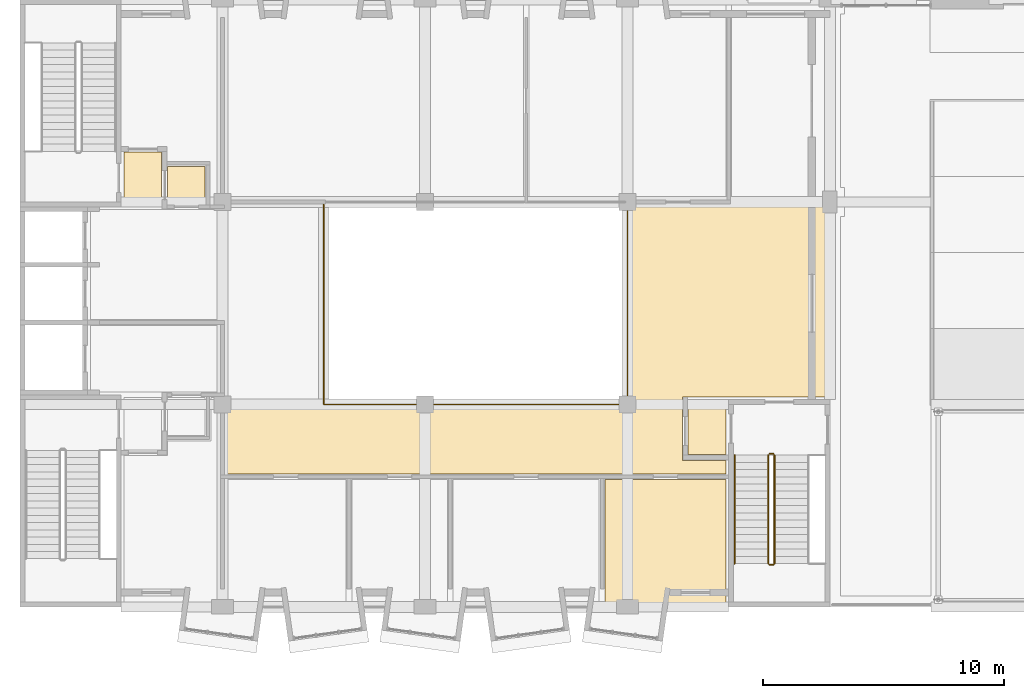
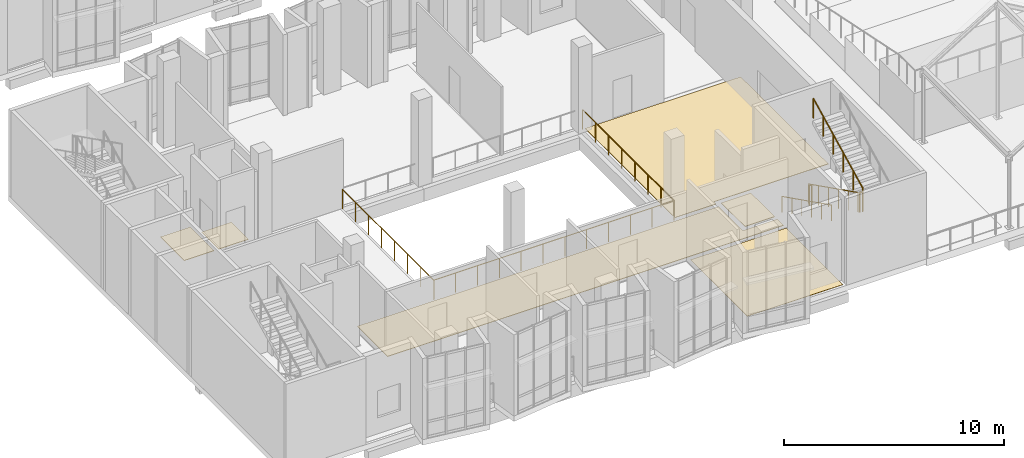
# One storey, part 59 of 67: 6 coverings, 6 railings.
"""IFC4 building model written with IfcOpenShell, lengths in metres."""

import ifcopenshell
import ifcopenshell.guid

model = None  # the IFC model being written
_history = None  # IfcOwnerHistory: only IFC2X3 demands one
_inside = {}  # id of a spatial element -> (the spatial element, [elements in it])
_under = {}  # id of a project, library or spatial element -> (it, [spatial elements below it])
_declared = {}  # id of a project -> (the project, [libraries it declares])
_typed = {}  # id of a type object -> (the type object, [elements of that type])
_made_of = {}  # id of a material, layer set ... -> (it, [elements and type objects made of it])


def new_model(schema):
    """Start an empty IFC model of exactly this schema.

    Asked for "IFC4X3", IfcOpenShell would pick the latest addendum, in which some entities
    have other attributes; the version numbers below select the first issue.
    IFC2X3 requires an IfcOwnerHistory on every rooted entity: one is made here for all.
    """
    global model, _history
    if schema == "IFC4X3":
        model = ifcopenshell.file(schema_version=(4, 3, 0, 0))
    else:
        model = ifcopenshell.file(schema=schema)
    _inside.clear()
    _under.clear()
    _declared.clear()
    _typed.clear()
    _made_of.clear()
    _history = None
    if model.schema == "IFC2X3":
        org = make("IfcOrganization", Name="unknown")
        user = make(
            "IfcPersonAndOrganization",
            ThePerson=make("IfcPerson", FamilyName="unknown"),
            TheOrganization=org,
        )
        app = make(
            "IfcApplication",
            ApplicationDeveloper=org,
            Version="unknown",
            ApplicationFullName="unknown",
            ApplicationIdentifier="unknown",
        )
        _history = make(
            "IfcOwnerHistory",
            OwningUser=user,
            OwningApplication=app,
            ChangeAction="ADDED",
            CreationDate=0,
        )
    return model


def make(cls, **values):
    """One entity of the class cls with the attributes given. An attribute that is None is left unset."""
    return model.create_entity(
        cls, **{name: value for name, value in values.items() if value is not None}
    )


def rooted(cls, **values):
    """An entity with a GlobalId (a new one), such as an element, a storey or a relation."""
    return make(cls, GlobalId=ifcopenshell.guid.new(), OwnerHistory=_history, **values)


def si_unit(unit_type, name, prefix=None):
    """IfcSIUnit, for example si_unit("LENGTHUNIT", "METRE", prefix="MILLI")."""
    return make("IfcSIUnit", UnitType=unit_type, Prefix=prefix, Name=name)


def assignment(units):
    """IfcUnitAssignment: the units of a project."""
    return None if units is None else make("IfcUnitAssignment", Units=units)


def point(xyz):
    """IfcCartesianPoint."""
    return None if xyz is None else make("IfcCartesianPoint", Coordinates=xyz)


def direction(xyz):
    """IfcDirection."""
    return None if xyz is None else make("IfcDirection", DirectionRatios=xyz)


def frame(location, z_axis=None, x_axis=None):
    """IfcAxis2Placement3D, a coordinate frame: its origin and axes. An axis left out is left unset."""
    return make(
        "IfcAxis2Placement3D",
        Location=point(location),
        Axis=direction(z_axis),
        RefDirection=direction(x_axis),
    )


def frame_2d(location, x_axis=None):
    """IfcAxis2Placement2D, a coordinate frame in the plane: its origin and x axis."""
    return make(
        "IfcAxis2Placement2D", Location=point(location), RefDirection=direction(x_axis)
    )


def origin():
    """The frame at (0, 0, 0) with its axes left unset."""
    return frame((0.0, 0.0, 0.0))


def origin_2d():
    """The frame at (0, 0) in the plane with its x axis left unset."""
    return frame_2d((0.0, 0.0))


def place(relative_to, where):
    """IfcLocalPlacement: puts the frame where relative to a parent placement (None: the world)."""
    return make(
        "IfcLocalPlacement", PlacementRelTo=relative_to, RelativePlacement=where
    )


def context(
    kind, dimensions, precision=None, world=None, true_north=None, identifier=None
):
    """IfcGeometricRepresentationContext, for example the 3D "Model" context."""
    return make(
        "IfcGeometricRepresentationContext",
        ContextIdentifier=identifier,
        ContextType=kind,
        CoordinateSpaceDimension=dimensions,
        Precision=precision,
        WorldCoordinateSystem=world,
        TrueNorth=true_north,
    )


def subcontext(parent, identifier, kind, view, scale=None):
    """IfcGeometricRepresentationSubContext, for example "Body" below "Model"."""
    return make(
        "IfcGeometricRepresentationSubContext",
        ContextIdentifier=identifier,
        ContextType=kind,
        ParentContext=parent,
        TargetScale=scale,
        TargetView=view,
    )


def project(units=None, contexts=None):
    """IfcProject with its units and contexts."""
    return rooted(
        "IfcProject",
        Name="project",
        RepresentationContexts=contexts,
        UnitsInContext=assignment(units),
    )


def spatial(cls, under=None, at=None, **own):
    """A site, building, storey or space (cls), placed at a placement, below another one or the project."""
    s = rooted(cls, ObjectPlacement=at, **own)
    if under is not None:
        _under.setdefault(under.id(), (under, []))[1].append(s)
    return s


def polyline(points):
    """IfcPolyline through the points."""
    return make("IfcPolyline", Points=[point(p) for p in points])


def profile(cls, at=None, kind="AREA", **sizes):
    """A parametric profile (cls). Its sizes go by their IFC names, for example OverallWidth=200.0."""
    return make(cls, ProfileType=kind, Position=at, **sizes)


def circle(**sizes):
    """IfcCircleProfileDef."""
    return profile("IfcCircleProfileDef", **sizes)


def outline(outer, holes=None, kind="AREA"):
    """IfcArbitraryClosedProfileDef: a profile drawn as a closed curve; with holes, ...WithVoids."""
    if holes is None:
        return make("IfcArbitraryClosedProfileDef", ProfileType=kind, OuterCurve=outer)
    return make(
        "IfcArbitraryProfileDefWithVoids",
        ProfileType=kind,
        OuterCurve=outer,
        InnerCurves=holes,
    )


def extrude(swept, where, along, depth):
    """IfcExtrudedAreaSolid: the profile swept, set in the frame where, extruded along a direction by depth."""
    return make(
        "IfcExtrudedAreaSolid",
        SweptArea=swept,
        Position=where,
        ExtrudedDirection=direction(along),
        Depth=depth,
    )


def shape(context_of_items, identifier, shape_type, items):
    """IfcShapeRepresentation: the items that make up one representation, for example the "Body"."""
    return make(
        "IfcShapeRepresentation",
        ContextOfItems=context_of_items,
        RepresentationIdentifier=identifier,
        RepresentationType=shape_type,
        Items=items,
    )


def material(Name=None, Category=None):
    """IfcMaterial."""
    return make("IfcMaterial", Name=Name, Category=Category)


def layer(
    of_material, thickness, ventilated=None, Name=None, Category=None, Priority=None
):
    """IfcMaterialLayer: one layer of a wall or slab, of a material (None: an air gap)."""
    return make(
        "IfcMaterialLayer",
        Material=of_material,
        LayerThickness=thickness,
        IsVentilated=ventilated,
        Name=Name,
        Category=Category,
        Priority=Priority,
    )


def layer_set(layers, Name=None):
    """IfcMaterialLayerSet."""
    return make("IfcMaterialLayerSet", MaterialLayers=layers, LayerSetName=Name)


def made_of(thing, what):
    """Note that an element or type object is made of a material, layer set ...; save() writes the relation."""
    if what is not None:
        _made_of.setdefault(what.id(), (what, []))[1].append(thing)
    return thing


def type_object(cls, material=None, **own):
    """A type object (cls), such as IfcWallType, which elements share."""
    return made_of(rooted(cls, **own), material)


def element(
    cls,
    number,
    at=None,
    inside=None,
    cuts=None,
    type_object=None,
    material=None,
    context=None,
    identifier="Body",
    shape_type=None,
    held_by="IfcProductDefinitionShape",
    body=None,
    shapes=None,
    **own,
):
    """One element of the class cls, such as IfcWall. Its Tag is "e" and its number.

    at: its placement. inside: the storey or other place that contains it. cuts: it is an
    opening in that element (IfcRelVoidsElement). A single representation is given by context,
    identifier, shape_type and body (its items); several are given by shapes. held_by: the class
    of the entity that holds the representations. save() writes the other relations.
    """
    e = rooted(cls, Tag="e%d" % number, ObjectPlacement=at, **own)
    if body is not None:
        shapes = [shape(context, identifier, shape_type, body)]
    if shapes is not None:
        e.Representation = make(held_by, Representations=shapes)
    if inside is not None:
        _inside.setdefault(inside.id(), (inside, []))[1].append(e)
    if cuts is not None:
        rooted(
            "IfcRelVoidsElement", RelatingBuildingElement=cuts, RelatedOpeningElement=e
        )
    if type_object is not None:
        _typed.setdefault(type_object.id(), (type_object, []))[1].append(e)
    return made_of(e, material)


def aggregate(whole, parts):
    """IfcRelAggregates: a whole, such as a stair, and the parts it consists of."""
    return rooted("IfcRelAggregates", RelatingObject=whole, RelatedObjects=parts)


def save(model, path):
    """Write the relations noted so far, then the file.

    IfcRelAggregates (storeys below a building ...), IfcRelContainedInSpatialStructure (elements
    in a storey), IfcRelDefinesByType, IfcRelAssociatesMaterial and IfcRelDeclares: one each for
    every whole, place, type object, material and project.
    """
    for whole, parts in _under.values():
        aggregate(whole, parts)
    for where, things in _inside.values():
        rooted(
            "IfcRelContainedInSpatialStructure",
            RelatedElements=things,
            RelatingStructure=where,
        )
    for kind, things in _typed.values():
        rooted("IfcRelDefinesByType", RelatedObjects=things, RelatingType=kind)
    for what, things in _made_of.values():
        rooted("IfcRelAssociatesMaterial", RelatedObjects=things, RelatingMaterial=what)
    for by, libraries in _declared.values():
        rooted("IfcRelDeclares", RelatingContext=by, RelatedDefinitions=libraries)
    model.write(path)


model = new_model("IFC4")

# Units and contexts
model_context = context("Model", 3, precision=1e-05, world=origin(), true_north=direction((0.0, 1.0)))
body_context = subcontext(model_context, "Body", "Model", "MODEL_VIEW")
ifc_project = project(units=[si_unit("LENGTHUNIT", "METRE"), si_unit("AREAUNIT", "SQUARE_METRE"), si_unit("VOLUMEUNIT", "CUBIC_METRE"), si_unit("PLANEANGLEUNIT", "RADIAN"), si_unit("MASSUNIT", "GRAM", prefix="KILO")], contexts=[model_context])

# Site, building, storey
site_placement = place(None, origin())
site = spatial("IfcSite", under=ifc_project, at=site_placement, CompositionType="ELEMENT")
building_placement = place(site_placement, origin())
building = spatial("IfcBuilding", under=site, at=building_placement, Name="Kiln Court Media Centre", CompositionType="ELEMENT")
storey_placement = place(building_placement, frame((0.0, 0.0, 19.800048828125)))
storey = spatial("IfcBuildingStorey", under=building, at=storey_placement, Name="L04", CompositionType="ELEMENT", Elevation=19.800048828125)

# Coverings
ifc_material_1 = material(Name="Carpet tile")
ifc_layer_1 = layer(ifc_material_1, 0.014892578125)
ifc_layer_set_1 = layer_set([ifc_layer_1], Name="Carpet tile floor finish 15")
covering_type_1 = type_object("IfcCoveringType", Name="Carpet tile floor finish 15", PredefinedType="FLOORING", material=ifc_layer_set_1)
covering_1_placement = place(storey_placement, origin())
element("IfcCovering", 1, at=covering_1_placement, inside=storey, type_object=covering_type_1, Name="Editing Suite 4 floor finish", PredefinedType="FLOORING", context=body_context, shape_type="SweptSolid", body=[
    extrude(outline(polyline([(24.27001953125, 0.1201171875), (29.280029296875, 0.1201171875), (29.280029296875, 5.280029296875), (24.27001953125, 5.280029296875), (24.27001953125, 0.1201171875)])), origin(), (0.0, 0.0, 1.0), 0.014892578125),
])
ifc_material_2 = material(Name="Terrazzo")
ifc_layer_2 = layer(ifc_material_2, 0.02490234375)
ifc_layer_set_2 = layer_set([ifc_layer_2], Name="Polished terrazzo floor finish 25")
covering_type_2 = type_object("IfcCoveringType", Name="Polished terrazzo floor finish 25", PredefinedType="FLOORING", material=ifc_layer_set_2)
covering_2_placement = place(storey_placement, origin())
element("IfcCovering", 2, at=covering_2_placement, inside=storey, type_object=covering_type_2, Name="Atrium Gallery floor finish", PredefinedType="FLOORING", context=body_context, shape_type="SweptSolid", body=[
    extrude(outline(polyline([(29.280029296875, 5.52001953125), (29.280029296875, 6.080078125), (27.47998046875, 6.080078125), (27.47998046875, 8.280029296875), (8.52001953125, 8.280029296875), (8.52001953125, 5.52001953125), (29.280029296875, 5.52001953125)])), origin(), (0.0, 0.0, 1.0), 0.02490234375),
])
covering_3_placement = place(storey_placement, origin())
element("IfcCovering", 3, at=covering_3_placement, inside=storey, type_object=covering_type_2, Name="Stair 3 Vestibule floor finish", PredefinedType="FLOORING", context=body_context, shape_type="SweptSolid", body=[
    extrude(outline(polyline([(27.719970703125, 6.320068359375), (29.280029296875, 6.320068359375), (29.280029296875, 8.47998046875), (27.719970703125, 8.47998046875), (27.719970703125, 6.320068359375)])), origin(), (0.0, 0.0, 1.0), 0.02490234375),
])
covering_4_placement = place(storey_placement, origin())
element("IfcCovering", 4, at=covering_4_placement, inside=storey, type_object=covering_type_2, Name="East Lobby floor finish", PredefinedType="FLOORING", context=body_context, shape_type="SweptSolid", body=[
    extrude(outline(polyline([(25.320068359375, 8.52001953125), (27.47998046875, 8.52001953125), (27.47998046875, 8.719970703125), (33.47998046875, 8.719970703125), (33.47998046875, 16.679931640625), (25.320068359375, 16.679931640625), (25.320068359375, 8.52001953125)])), origin(), (0.0, 0.0, 1.0), 0.02490234375),
])
covering_5_placement = place(storey_placement, origin())
element("IfcCovering", 5, at=covering_5_placement, inside=storey, type_object=covering_type_2, Name="Stair 2 Vestibule floor finish", PredefinedType="FLOORING", context=body_context, shape_type="SweptSolid", body=[
    extrude(outline(polyline([(4.320068359375, 16.719970703125), (5.8798828125, 16.719970703125), (5.8798828125, 18.8798828125), (4.320068359375, 18.8798828125), (4.320068359375, 16.719970703125)])), origin(), (0.0, 0.0, 1.0), 0.02490234375),
])
covering_6_placement = place(storey_placement, origin())
element("IfcCovering", 6, at=covering_6_placement, inside=storey, type_object=covering_type_2, Name="Wheelchair Refuge floor finish", PredefinedType="FLOORING", context=body_context, shape_type="SweptSolid", body=[
    extrude(outline(polyline([(6.1201171875, 16.719970703125), (7.679931640625, 16.719970703125), (7.679931640625, 18.280029296875), (6.1201171875, 18.280029296875), (6.1201171875, 16.719970703125)])), origin(), (0.0, 0.0, 1.0), 0.02490234375),
])

# Railings
ifc_material_3 = material(Name="Steel S275", Category="steel")
railing_type_1 = type_object("IfcRailingType", Name="Steel S275 balustrade guard 1100", PredefinedType="GUARDRAIL", material=ifc_material_3)
railing_1_placement = place(storey_placement, frame((12.60009765625, 16.705078125, 0.0)))
element("IfcRailing", 7, at=railing_1_placement, inside=storey, type_object=railing_type_1, Name="L04 void edge guard", PredefinedType="GUARDRAIL", context=body_context, shape_type="SweptSolid", body=[
    extrude(circle(Radius=0.02392578125, at=origin_2d()), frame((0.0, 0.0, 1.076171875), z_axis=(0.0, -1.0, 0.0), x_axis=(1.0, 0.0, 0.0)), (0.0, 0.0, 1.0), 8.30517578125),
    extrude(circle(Radius=0.02392578125, at=origin_2d()), frame((0.0, -8.30517578125, 1.076171875), z_axis=(1.0, 0.0, 0.0), x_axis=(0.0, 1.0, 0.0)), (0.0, 0.0, 1.0), 12.599853515625),
    extrude(circle(Radius=0.02392578125, at=origin_2d()), frame((12.599853515625, -8.30517578125, 1.076171875), z_axis=(0.0, 1.0, 0.0), x_axis=(-1.0, 0.0, 0.0)), (0.0, 0.0, 1.0), 8.30517578125),
    extrude(circle(Radius=0.02099609375, at=origin_2d()), origin(), (0.0, 0.0, 1.0), 1.052001953125),
    extrude(circle(Radius=0.02099609375, at=origin_2d()), frame((0.0, -1.1865234375, 0.0)), (0.0, 0.0, 1.0), 1.052001953125),
    extrude(circle(Radius=0.02099609375, at=origin_2d()), frame((0.0, -2.372802734375, 0.0)), (0.0, 0.0, 1.0), 1.052001953125),
    extrude(circle(Radius=0.02099609375, at=origin_2d()), frame((0.0, -3.559326171875, 0.0)), (0.0, 0.0, 1.0), 1.052001953125),
    extrude(circle(Radius=0.02099609375, at=origin_2d()), frame((0.0, -4.745849609375, 0.0)), (0.0, 0.0, 1.0), 1.052001953125),
    extrude(circle(Radius=0.02099609375, at=origin_2d()), frame((0.0, -5.932373046875, 0.0)), (0.0, 0.0, 1.0), 1.052001953125),
    extrude(circle(Radius=0.02099609375, at=origin_2d()), frame((0.0, -7.11865234375, 0.0)), (0.0, 0.0, 1.0), 1.052001953125),
    extrude(circle(Radius=0.02099609375, at=origin_2d()), frame((0.0, -8.30517578125, 0.0)), (0.0, 0.0, 1.0), 1.052001953125),
    extrude(circle(Radius=0.02099609375, at=origin_2d()), frame((1.1455078125, -8.30517578125, 0.0)), (0.0, 0.0, 1.0), 1.052001953125),
    extrude(circle(Radius=0.02099609375, at=origin_2d()), frame((2.290771484375, -8.30517578125, 0.0)), (0.0, 0.0, 1.0), 1.052001953125),
    extrude(circle(Radius=0.02099609375, at=origin_2d()), frame((3.436279296875, -8.30517578125, 0.0)), (0.0, 0.0, 1.0), 1.052001953125),
    extrude(circle(Radius=0.02099609375, at=origin_2d()), frame((4.581787109375, -8.30517578125, 0.0)), (0.0, 0.0, 1.0), 1.052001953125),
    extrude(circle(Radius=0.02099609375, at=origin_2d()), frame((5.727294921875, -8.30517578125, 0.0)), (0.0, 0.0, 1.0), 1.052001953125),
    extrude(circle(Radius=0.02099609375, at=origin_2d()), frame((6.87255859375, -8.30517578125, 0.0)), (0.0, 0.0, 1.0), 1.052001953125),
    extrude(circle(Radius=0.02099609375, at=origin_2d()), frame((8.01806640625, -8.30517578125, 0.0)), (0.0, 0.0, 1.0), 1.052001953125),
    extrude(circle(Radius=0.02099609375, at=origin_2d()), frame((9.16357421875, -8.30517578125, 0.0)), (0.0, 0.0, 1.0), 1.052001953125),
    extrude(circle(Radius=0.02099609375, at=origin_2d()), frame((10.30908203125, -8.30517578125, 0.0)), (0.0, 0.0, 1.0), 1.052001953125),
    extrude(circle(Radius=0.02099609375, at=origin_2d()), frame((11.454345703125, -8.30517578125, 0.0)), (0.0, 0.0, 1.0), 1.052001953125),
    extrude(circle(Radius=0.02099609375, at=origin_2d()), frame((12.599853515625, -8.30517578125, 0.0)), (0.0, 0.0, 1.0), 1.052001953125),
    extrude(circle(Radius=0.02099609375, at=origin_2d()), frame((12.599853515625, -7.11865234375, 0.0)), (0.0, 0.0, 1.0), 1.052001953125),
    extrude(circle(Radius=0.02099609375, at=origin_2d()), frame((12.599853515625, -5.932373046875, 0.0)), (0.0, 0.0, 1.0), 1.052001953125),
    extrude(circle(Radius=0.02099609375, at=origin_2d()), frame((12.599853515625, -4.745849609375, 0.0)), (0.0, 0.0, 1.0), 1.052001953125),
    extrude(circle(Radius=0.02099609375, at=origin_2d()), frame((12.599853515625, -3.559326171875, 0.0)), (0.0, 0.0, 1.0), 1.052001953125),
    extrude(circle(Radius=0.02099609375, at=origin_2d()), frame((12.599853515625, -2.372802734375, 0.0)), (0.0, 0.0, 1.0), 1.052001953125),
    extrude(circle(Radius=0.02099609375, at=origin_2d()), frame((12.599853515625, -1.1865234375, 0.0)), (0.0, 0.0, 1.0), 1.052001953125),
    extrude(circle(Radius=0.02099609375, at=origin_2d()), frame((12.599853515625, 0.0, 0.0)), (0.0, 0.0, 1.0), 1.052001953125),
])
ifc_material_4 = material(Name="Steel S275", Category="steel")
railing_type_2 = type_object("IfcRailingType", Name="Steel S275 stair guard 1100", PredefinedType="GUARDRAIL", material=ifc_material_4)
railing_2_placement = place(storey_placement, frame((31.050048828125, 6.300048828125, 0.14990234375)))
element("IfcRailing", 8, at=railing_2_placement, inside=storey, type_object=railing_type_2, Name="ST-03 stair guard", PredefinedType="GUARDRAIL", context=body_context, shape_type="SweptSolid", body=[
    extrude(circle(Radius=0.02392578125, at=origin_2d()), frame((0.0, 0.0, 1.076171875), z_axis=(0.0, -0.894427191, 0.4472135955), x_axis=(1.0, 0.0, 0.0)), (0.0, 0.0, 1.0), 5.03125),
    extrude(circle(Radius=0.02099609375, at=origin_2d()), origin(), (0.0, 0.0, 1.0), 1.052001953125),
    extrude(circle(Radius=0.02099609375, at=origin_2d()), frame((0.0, -0.89990234375, 0.449951171875)), (0.0, 0.0, 1.0), 1.052001953125),
    extrude(circle(Radius=0.02099609375, at=origin_2d()), frame((0.0, -1.800048828125, 0.89990234375)), (0.0, 0.0, 1.0), 1.052001953125),
    extrude(circle(Radius=0.02099609375, at=origin_2d()), frame((0.0, -2.699951171875, 1.35009765625)), (0.0, 0.0, 1.0), 1.052001953125),
    extrude(circle(Radius=0.02099609375, at=origin_2d()), frame((0.0, -3.60009765625, 1.800048828125)), (0.0, 0.0, 1.0), 1.052001953125),
    extrude(circle(Radius=0.02099609375, at=origin_2d()), frame((0.0, -4.5, 2.25)), (0.0, 0.0, 1.0), 1.052001953125),
])
railing_3_placement = place(storey_placement, frame((31.10009765625, 1.75, 2.39990234375)))
element("IfcRailing", 9, at=railing_3_placement, inside=storey, type_object=railing_type_2, Name="ST-03 stair guard", PredefinedType="GUARDRAIL", context=body_context, shape_type="SweptSolid", body=[
    extrude(circle(Radius=0.02392578125, at=origin_2d()), frame((0.0, 0.0, 1.076171875), z_axis=(1.0, 0.0, 0.0), x_axis=(0.0, 1.0, 0.0)), (0.0, 0.0, 1.0), 0.14990234375),
    extrude(circle(Radius=0.02099609375, at=origin_2d()), origin(), (0.0, 0.0, 1.0), 1.052001953125),
    extrude(circle(Radius=0.02099609375, at=origin_2d()), frame((0.14990234375, 0.0, 0.0)), (0.0, 0.0, 1.0), 1.052001953125),
])
railing_4_placement = place(storey_placement, frame((31.300048828125, 1.800048828125, 2.550048828125)))
element("IfcRailing", 10, at=railing_4_placement, inside=storey, type_object=railing_type_2, Name="ST-03 stair guard", PredefinedType="GUARDRAIL", context=body_context, shape_type="SweptSolid", body=[
    extrude(circle(Radius=0.02392578125, at=origin_2d()), frame((0.0, 0.0, 1.076171875), z_axis=(0.0, 0.894427191, 0.4472135955), x_axis=(-1.0, 0.0, 0.0)), (0.0, 0.0, 1.0), 5.03125),
    extrude(circle(Radius=0.02099609375, at=origin_2d()), origin(), (0.0, 0.0, 1.0), 1.052001953125),
    extrude(circle(Radius=0.02099609375, at=origin_2d()), frame((0.0, 0.89990234375, 0.449951171875)), (0.0, 0.0, 1.0), 1.052001953125),
    extrude(circle(Radius=0.02099609375, at=origin_2d()), frame((0.0, 1.800048828125, 0.89990234375)), (0.0, 0.0, 1.0), 1.052001953125),
    extrude(circle(Radius=0.02099609375, at=origin_2d()), frame((0.0, 2.699951171875, 1.35009765625)), (0.0, 0.0, 1.0), 1.052001953125),
    extrude(circle(Radius=0.02099609375, at=origin_2d()), frame((0.0, 3.60009765625, 1.800048828125)), (0.0, 0.0, 1.0), 1.052001953125),
    extrude(circle(Radius=0.02099609375, at=origin_2d()), frame((0.0, 4.5, 2.25)), (0.0, 0.0, 1.0), 1.052001953125),
])
railing_5_placement = place(storey_placement, frame((31.10009765625, 6.35009765625, 0.0)))
element("IfcRailing", 11, at=railing_5_placement, inside=storey, type_object=railing_type_2, Name="ST-03 stair guard", PredefinedType="GUARDRAIL", context=body_context, shape_type="SweptSolid", body=[
    extrude(circle(Radius=0.02392578125, at=origin_2d()), frame((0.0, 0.0, 1.076171875), z_axis=(1.0, 0.0, 0.0), x_axis=(0.0, 1.0, 0.0)), (0.0, 0.0, 1.0), 0.14990234375),
    extrude(circle(Radius=0.02099609375, at=origin_2d()), origin(), (0.0, 0.0, 1.0), 1.052001953125),
    extrude(circle(Radius=0.02099609375, at=origin_2d()), frame((0.14990234375, 0.0, 0.0)), (0.0, 0.0, 1.0), 1.052001953125),
])
ifc_material_5 = material(Name="Steel S275", Category="steel")
railing_type_3 = type_object("IfcRailingType", Name="Steel S275 stair handrail 900", PredefinedType="HANDRAIL", material=ifc_material_5)
railing_6_placement = place(storey_placement, frame((29.64990234375, 6.300048828125, 0.14990234375)))
element("IfcRailing", 12, at=railing_6_placement, inside=storey, type_object=railing_type_3, Name="ST-03 stair handrail", PredefinedType="HANDRAIL", context=body_context, shape_type="SweptSolid", body=[
    extrude(circle(Radius=0.02392578125, at=origin_2d()), frame((0.0, 0.0, 0.8759765625), z_axis=(0.0, -0.894427191, 0.4472135955), x_axis=(1.0, 0.0, 0.0)), (0.0, 0.0, 1.0), 5.03125),
    extrude(circle(Radius=0.02099609375, at=origin_2d()), origin(), (0.0, 0.0, 1.0), 0.851806640625),
    extrude(circle(Radius=0.02099609375, at=origin_2d()), frame((0.0, -0.89990234375, 0.449951171875)), (0.0, 0.0, 1.0), 0.851806640625),
    extrude(circle(Radius=0.02099609375, at=origin_2d()), frame((0.0, -1.800048828125, 0.89990234375)), (0.0, 0.0, 1.0), 0.851806640625),
    extrude(circle(Radius=0.02099609375, at=origin_2d()), frame((0.0, -2.699951171875, 1.35009765625)), (0.0, 0.0, 1.0), 0.851806640625),
    extrude(circle(Radius=0.02099609375, at=origin_2d()), frame((0.0, -3.60009765625, 1.800048828125)), (0.0, 0.0, 1.0), 0.851806640625),
    extrude(circle(Radius=0.02099609375, at=origin_2d()), frame((0.0, -4.5, 2.25)), (0.0, 0.0, 1.0), 0.851806640625),
])

save(model, "model.ifc")
